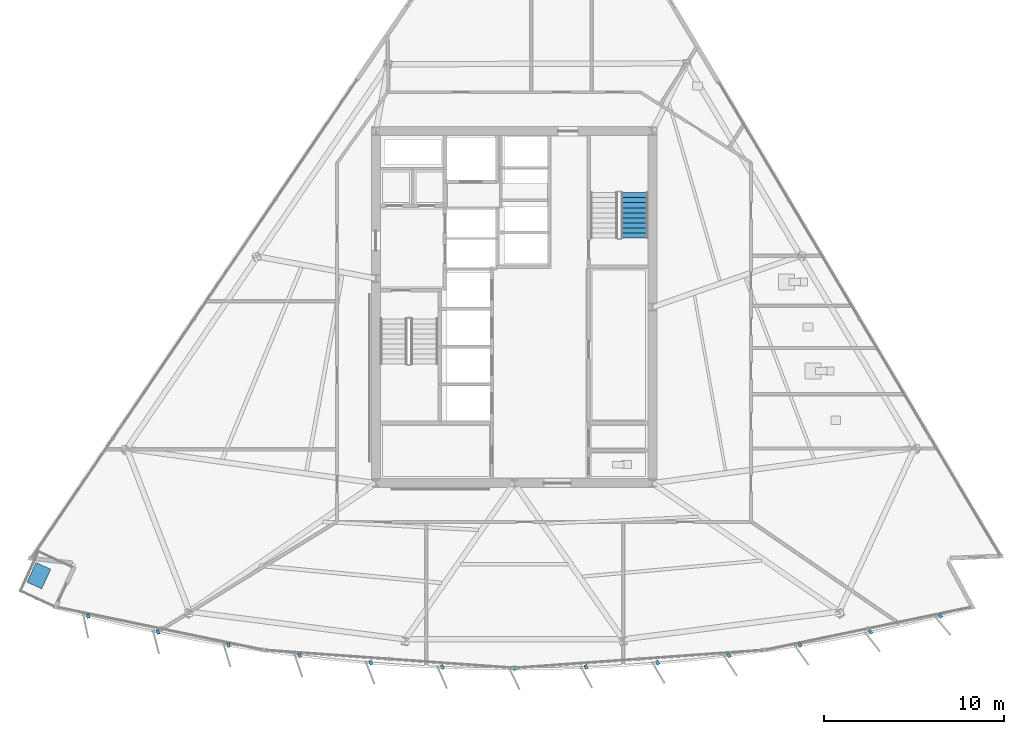
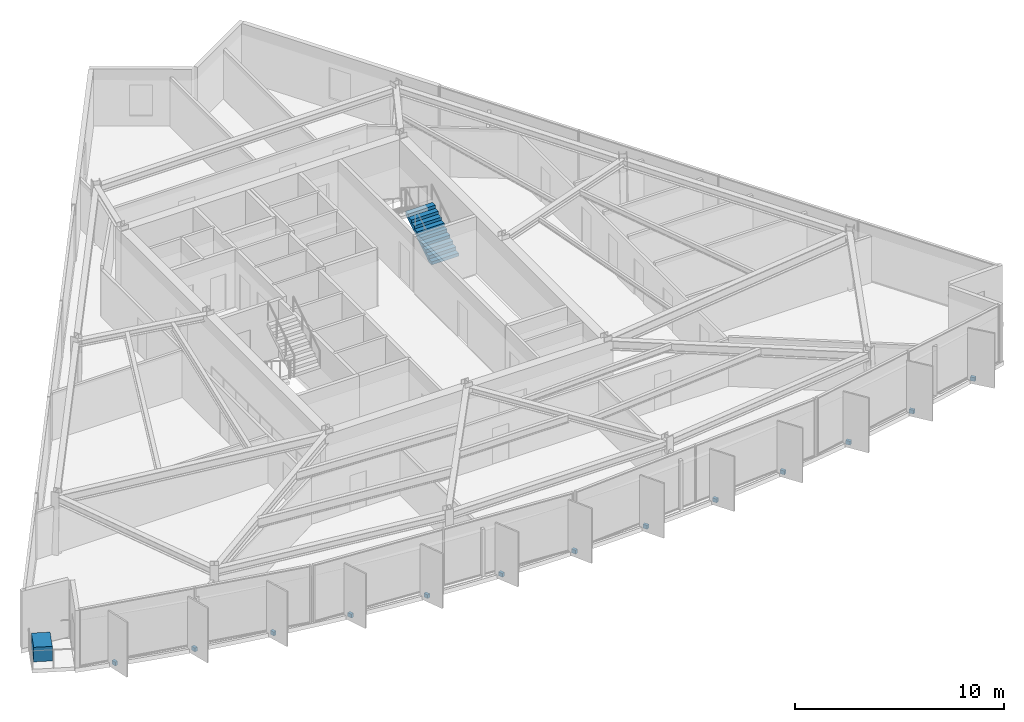
# One storey, part 10 of 15: 14 discrete accessories, 1 stair flight, 1 element without a shape of its own.
"""IFC4 building model written with IfcOpenShell, lengths in metres."""

from ifc_helpers import new_model, si_unit, direction, frame, origin, origin_2d, place, context, subcontext, project, spatial, polyline, rectangle, outline, extrude, material, type_object, element, aggregate, save


model = new_model("IFC4")

# Units and contexts
model_context = context("Model", 3, precision=1e-05, world=origin(), true_north=direction((0.0, 1.0)))
body_context = subcontext(model_context, "Body", "Model", "MODEL_VIEW")
ifc_project = project(units=[si_unit("LENGTHUNIT", "METRE"), si_unit("AREAUNIT", "SQUARE_METRE"), si_unit("VOLUMEUNIT", "CUBIC_METRE"), si_unit("PLANEANGLEUNIT", "RADIAN"), si_unit("MASSUNIT", "GRAM", prefix="KILO")], contexts=[model_context])

# Site, building, storey
site_placement = place(None, origin())
site = spatial("IfcSite", under=ifc_project, at=site_placement, CompositionType="ELEMENT")
building_placement = place(site_placement, origin())
building = spatial("IfcBuilding", under=site, at=building_placement, Name="Savorim Split Tower", CompositionType="ELEMENT")
storey_placement = place(building_placement, frame((0.0, 0.0, 138.60009765625)))
storey = spatial("IfcBuildingStorey", under=building, at=storey_placement, Name="L36", CompositionType="ELEMENT", Elevation=138.60009765625)

# Stair, stair flight
ifc_material_1 = material(Name="Concrete C50/60", Category="concrete")
stair_type = type_object("IfcStairType", Name="STR-DOG-3600", PredefinedType="HALF_TURN_STAIR", material=ifc_material_1)
stair_placement = place(storey_placement, origin())
stair = element("IfcStair", 1, at=stair_placement, inside=storey, type_object=stair_type, Name="L36 Core Protected Exit Stair ST-2", PredefinedType="HALF_TURN_STAIR")
stair_flight_type = type_object("IfcStairFlightType", Name="SFL-DOG-3600", PredefinedType="STRAIGHT", material=ifc_material_1)
stair_flight_placement = place(storey_placement, frame((6.699951171875, 4.25, 0.0), z_axis=(0.0, 0.0, 1.0), x_axis=(0.0, 1.0, 0.0)))
stair_flight = element("IfcStairFlight", 2, at=stair_flight_placement, type_object=stair_flight_type, Name="ST-2 flight 1", NumberOfRisers=10, NumberOfTreads=9, PredefinedType="STRAIGHT", RiserHeight=0.18, TreadLength=0.28, context=body_context, shape_type="SweptSolid", body=[
    extrude(outline(polyline([(0.0, 0.0), (0.0, 0.179931640625), (0.280029296875, 0.179931640625), (0.280029296875, 0.360107421875), (0.56005859375, 0.360107421875), (0.56005859375, 0.5400390625), (0.840087890625, 0.5400390625), (0.840087890625, 0.719970703125), (1.1201171875, 0.719970703125), (1.1201171875, 0.89990234375), (1.39990234375, 0.89990234375), (1.39990234375, 1.080078125), (1.679931640625, 1.080078125), (1.679931640625, 1.260009765625), (1.9599609375, 1.260009765625), (1.9599609375, 1.43994140625), (2.239990234375, 1.43994140625), (2.239990234375, 1.6201171875), (2.52001953125, 1.6201171875), (2.52001953125, 1.800048828125), (2.52001953125, 1.44189453125), (0.277099609375, 0.0), (0.0, 0.0)])), frame((0.0, 0.75, 0.0), z_axis=(0.0, -1.0, 0.0), x_axis=(1.0, 0.0, 0.0)), (0.0, 0.0, 1.0), 1.5),
])
aggregate(stair, [stair_flight])

# Discrete accessories
ifc_material_2 = material(Name="Steel S355", Category="steel")
discrete_accessory_type_1 = type_object("IfcDiscreteAccessoryType", Name="ACC-BRK-FIN", PredefinedType="BRACKET", material=ifc_material_2)
for number, where, z_axis, x_axis, name in (
    (3, (-23.720703125, -16.79443359375, -0.18994140625), (0.0, 0.0, 1.0), (0.206721626106, -0.978399800337, 0.0), "L36 Fin Slab-Edge Cleat Bracket 01"),
    (4, (-19.828369140625, -17.685791015625, -0.18994140625), (0.0, 0.0, 1.0), (0.246581250663, -0.969122121727, 0.0), "L36 Fin Slab-Edge Cleat Bracket 02"),
    (5, (-15.902587890625, -18.4169921875, -0.18994140625), (0.0, 0.0, 1.0), (0.286026212504, -0.958221793616, 0.0), "L36 Fin Slab-Edge Cleat Bracket 03"),
    (6, (-11.950439453125, -18.987060546875, -0.18994140625), (0.0, 0.0, 1.0), (0.324993810493, -0.945716143005, 0.0), "L36 Fin Slab-Edge Cleat Bracket 04"),
    (7, (-7.97802734375, -19.39501953125, -0.18994140625), (0.0, 0.0, 1.0), (0.363415461732, -0.931627179817, 0.0), "L36 Fin Slab-Edge Cleat Bracket 05"),
    (8, (-3.992431640625, -19.639892578125, -0.18994140625), (0.0, 0.0, 1.0), (0.401230091723, -0.915977299662, 0.0), "L36 Fin Slab-Edge Cleat Bracket 06"),
    (9, (0.0, -19.7216796875, -0.18994140625), (0.0, 0.0, 1.0), (0.438371146789, -0.898794046299, 0.0), "L36 Fin Slab-Edge Cleat Bracket 07"),
    (10, (3.992431640625, -19.639892578125, -0.18994140625), (0.0, 0.0, 1.0), (0.474778051978, -0.880105562623, 0.0), "L36 Fin Slab-Edge Cleat Bracket 08"),
    (11, (7.97802734375, -19.39501953125, -0.18994140625), (0.0, 0.0, 1.0), (0.510391336723, -0.859942255851, 0.0), "L36 Fin Slab-Edge Cleat Bracket 09"),
    (12, (11.950439453125, -18.987060546875, -0.18994140625), (0.0, 0.0, 1.0), (0.545148321708, -0.838339613366, 0.0), "L36 Fin Slab-Edge Cleat Bracket 10"),
    (13, (15.902587890625, -18.4169921875, -0.18994140625), (0.0, 0.0, 1.0), (0.578993757737, -0.815331974414, 0.0), "L36 Fin Slab-Edge Cleat Bracket 11"),
    (14, (19.828369140625, -17.685791015625, -0.18994140625), (0.0, 0.0, 1.0), (0.611868076908, -0.790959832394, 0.0), "L36 Fin Slab-Edge Cleat Bracket 12"),
    (15, (23.720703125, -16.79443359375, -0.18994140625), (0.0, 0.0, 1.0), (0.643719022682, -0.765261928909, 0.0), "L36 Fin Slab-Edge Cleat Bracket 13"),
):
    element("IfcDiscreteAccessory", number, at=place(storey_placement, frame(where, z_axis=z_axis, x_axis=x_axis)), inside=storey, type_object=discrete_accessory_type_1, Name=name, PredefinedType="BRACKET", context=body_context, shape_type="SweptSolid", body=[
        extrude(rectangle(XDim=0.239990234375, YDim=0.159912109375, at=origin_2d()), origin(), (0.0, 0.0, 1.0), 0.219970703125),
    ])
ifc_material_3 = material(Name="Architectural Precast Planter Concrete C40/50", Category="concrete")
discrete_accessory_type_2 = type_object("IfcDiscreteAccessoryType", Name="ACC-PLN-TREE", PredefinedType="USERDEFINED", material=ifc_material_3)
discrete_accessory_placement = place(storey_placement, frame((-26.4560546875, -14.548583984375, -0.000244140625), z_axis=(0.0, 0.0, 1.0), x_axis=(-0.417494411878, -0.908679490277, 0.0)))
element("IfcDiscreteAccessory", 16, at=discrete_accessory_placement, inside=storey, type_object=discrete_accessory_type_2, Name="L36 Balcony Precast Tree Planter SW", ObjectType="PLANTER", PredefinedType="USERDEFINED", context=body_context, shape_type="SweptSolid", body=[
    extrude(rectangle(XDim=1.199951171875, YDim=0.89990234375, at=origin_2d()), origin(), (0.0, 0.0, 1.0), 0.85009765625),
])

save(model, "model.ifc")
